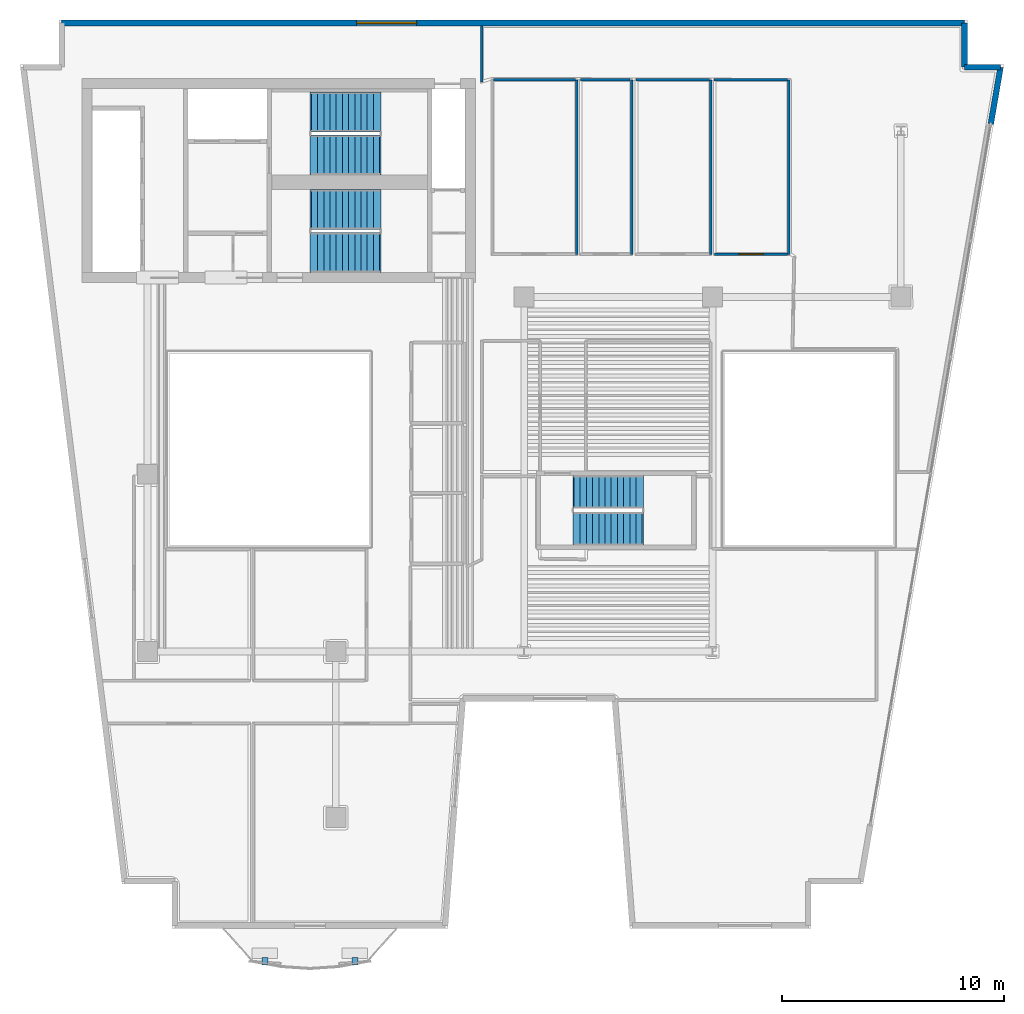
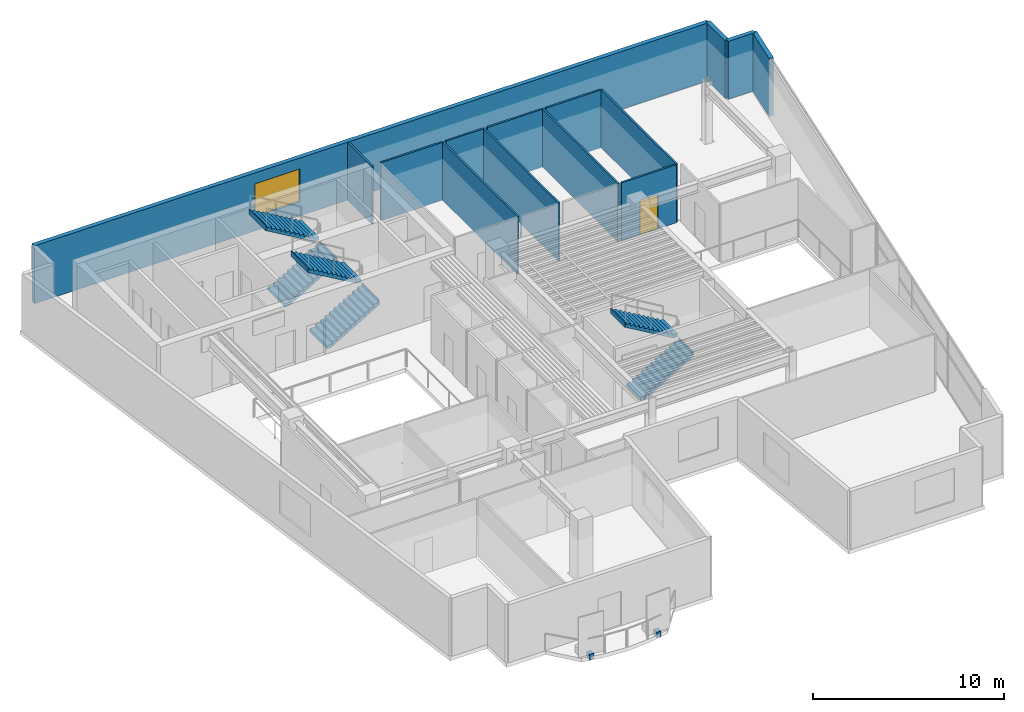
# One storey, part 6 of 9: 14 walls, 6 stair flights, 2 discrete accessories, 1 door, 1 window, 2 openings, 3 elements without a shape of their own.
"""IFC4 building model written with IfcOpenShell, lengths in metres."""

from ifc_helpers import new_model, si_unit, direction, frame, frame_2d, origin, origin_2d, place, context, subcontext, project, spatial, polyline, rectangle, outline, extrude, material, layer, layer_set, type_object, element, fill, aggregate, save


model = new_model("IFC4")

# Units and contexts
model_context = context("Model", 3, precision=1e-05, world=origin(), true_north=direction((0.0, 1.0)))
body_context = subcontext(model_context, "Body", "Model", "MODEL_VIEW")
ifc_project = project(units=[si_unit("LENGTHUNIT", "METRE"), si_unit("AREAUNIT", "SQUARE_METRE"), si_unit("VOLUMEUNIT", "CUBIC_METRE"), si_unit("PLANEANGLEUNIT", "RADIAN"), si_unit("MASSUNIT", "GRAM", prefix="KILO")], contexts=[model_context])

# Site, building, storey
site_placement = place(None, origin())
site = spatial("IfcSite", under=ifc_project, at=site_placement, CompositionType="ELEMENT")
building_placement = place(site_placement, origin())
building = spatial("IfcBuilding", under=site, at=building_placement, Name="Caeloran Harvest Quay", CompositionType="ELEMENT")
storey_placement = place(building_placement, frame((0.0, 0.0, 195.60009765625)))
storey = spatial("IfcBuildingStorey", under=building, at=storey_placement, Name="L46", CompositionType="ELEMENT", Elevation=195.60009765625)

# Wall, opening, window
ifc_material_1 = material(Name="Precast concrete C50/60", Category="concrete")
ifc_layer_1 = layer(ifc_material_1, 0.260009765625, Name="Precast concrete C50/60")
ifc_layer_set_1 = layer_set([ifc_layer_1], Name="Precast concrete C50/60")
wall_type_1 = type_object("IfcWallType", Name="ENV-WALL-EW-260", PredefinedType="STANDARD", material=ifc_layer_set_1)
wall_1_placement = place(storey_placement, frame((4.6298828125, 43.3701171875, 0.0), z_axis=(0.0, 0.0, 1.0), x_axis=(1.0, 0.0, 0.0)))
wall_1 = element("IfcWall", 1, at=wall_1_placement, inside=storey, type_object=wall_type_1, Name="L46 Exterior Precast Concrete Facade Wall 6", PredefinedType="STANDARD", context=body_context, shape_type="SweptSolid", body=[
    extrude(rectangle(XDim=40.740234375, YDim=0.260009765625, at=frame_2d((20.3701171875, 0.0))), origin(), (0.0, 0.0, 1.0), 3.699951171875),
])
opening_1_placement = place(wall_1_placement, frame((13.31591796875, 0.0, 0.89990234375)))
opening_1 = element("IfcOpeningElement", 2, at=opening_1_placement, cuts=wall_1, Name="Opening W-07", PredefinedType="OPENING", context=body_context, shape_type="SweptSolid", body=[
    extrude(rectangle(XDim=2.699951171875, YDim=2.10009765625, at=frame_2d((1.35009765625, 1.050048828125))), frame((0.0, 0.14013671875, 0.0), z_axis=(0.0, -1.0, 0.0), x_axis=(1.0, 0.0, 0.0)), (0.0, 0.0, 1.0), 0.280029296875),
])
ifc_material_2 = material(Name="Aluminium-Framed Low-E Laminated Glass", Category="aluminium")
window_type = type_object("IfcWindowType", Name="WIN-W-07", PartitioningType="DOUBLE_PANEL_VERTICAL", PredefinedType="WINDOW", material=ifc_material_2)
window_placement = place(opening_1_placement, origin())
window = element("IfcWindow", 3, at=window_placement, inside=storey, type_object=window_type, Name="L46 Facade Punched Window W-07", OverallHeight=2.10009765625, OverallWidth=2.699951171875, PartitioningType="DOUBLE_PANEL_VERTICAL", PredefinedType="WINDOW", context=body_context, shape_type="SweptSolid", body=[
    extrude(rectangle(XDim=2.699951171875, YDim=2.10009765625, at=frame_2d((1.35009765625, 1.050048828125))), frame((0.0, 0.030029296875, 0.0), z_axis=(0.0, -1.0, 0.0), x_axis=(1.0, 0.0, 0.0)), (0.0, 0.0, 1.0), 0.06005859375),
])
fill(opening_1, window)

# Walls
wall_2_placement = place(storey_placement, frame((45.3701171875, 43.3701171875, 0.0), z_axis=(0.0, 0.0, 1.0), x_axis=(0.0, -1.0, 0.0)))
element("IfcWall", 4, at=wall_2_placement, inside=storey, type_object=wall_type_1, Name="L46 Exterior Precast Concrete Facade Wall 7", PredefinedType="STANDARD", context=body_context, shape_type="SweptSolid", body=[
    extrude(rectangle(XDim=2.0, YDim=0.260009765625, at=frame_2d((1.0, 0.0))), origin(), (0.0, 0.0, 1.0), 3.699951171875),
])
wall_3_placement = place(storey_placement, frame((45.3701171875, 41.3701171875, 0.0), z_axis=(0.0, 0.0, 1.0), x_axis=(1.0, 0.0, 0.0)))
element("IfcWall", 5, at=wall_3_placement, inside=storey, type_object=wall_type_1, Name="L46 Exterior Precast Concrete Facade Wall 8", PredefinedType="STANDARD", context=body_context, shape_type="SweptSolid", body=[
    extrude(rectangle(XDim=1.6318359375, YDim=0.260009765625, at=frame_2d((0.81591796875, 0.0))), origin(), (0.0, 0.0, 1.0), 3.699951171875),
])
wall_4_placement = place(storey_placement, frame((47.001953125, 41.3701171875, 0.0), z_axis=(0.0, 0.0, 1.0), x_axis=(-0.169391215599, -0.98554889076, 0.0)))
element("IfcWall", 6, at=wall_4_placement, inside=storey, type_object=wall_type_1, Name="L46 Exterior Facade Corner Pier Wall 9A", PredefinedType="STANDARD", context=body_context, shape_type="SweptSolid", body=[
    extrude(rectangle(XDim=2.60009765625, YDim=0.260009765625, at=frame_2d((1.300048828125, 0.0))), origin(), (0.0, 0.0, 1.0), 3.699951171875),
])
ifc_material_3 = material(Name="Single-Stud Acoustic Gypsum Office Partition", Category="gypsum")
ifc_layer_2 = layer(ifc_material_3, 0.112060546875, Name="Single-Stud Acoustic Gypsum Office Partition")
ifc_layer_set_2 = layer_set([ifc_layer_2], Name="Single-Stud Acoustic Gypsum Office Partition")
wall_type_2 = type_object("IfcWallType", Name="INT-WALL-PW-112", PredefinedType="PARTITIONING", material=ifc_layer_set_2)
wall_5_placement = place(storey_placement, frame((27.8798828125, 40.800048828125, 0.0), z_axis=(0.0, 0.0, 1.0), x_axis=(0.0, -1.0, 0.0)))
element("IfcWall", 7, at=wall_5_placement, inside=storey, type_object=wall_type_2, Name="L46 Crop Phenotyping West Laboratory Partition Wall", PredefinedType="PARTITIONING", context=body_context, shape_type="SweptSolid", body=[
    extrude(rectangle(XDim=7.880126953125, YDim=0.112060546875, at=frame_2d((3.93994140625, 0.0))), origin(), (0.0, 0.0, 1.0), 3.699951171875),
])
wall_6_placement = place(storey_placement, frame((24.111083984375, 40.800048828125, 0.0), z_axis=(0.0, 0.0, 1.0), x_axis=(1.0, 0.0, 0.0)))
element("IfcWall", 8, at=wall_6_placement, inside=storey, type_object=wall_type_2, Name="L46 Crop Phenotyping West Laboratory Partition Wall", PredefinedType="PARTITIONING", context=body_context, shape_type="SweptSolid", body=[
    extrude(rectangle(XDim=3.7080078125, YDim=0.112060546875, at=frame_2d((1.85400390625, 0.0))), origin(), (0.0, 0.0, 1.0), 3.699951171875),
])
wall_7_placement = place(storey_placement, frame((30.35009765625, 40.800048828125, 0.0), z_axis=(0.0, 0.0, 1.0), x_axis=(0.0, -1.0, 0.0)))
element("IfcWall", 9, at=wall_7_placement, inside=storey, type_object=wall_type_2, Name="L46 Genomics Sequencing East Studio Partition Wall", PredefinedType="PARTITIONING", context=body_context, shape_type="SweptSolid", body=[
    extrude(rectangle(XDim=7.880126953125, YDim=0.112060546875, at=frame_2d((3.93994140625, 0.0))), origin(), (0.0, 0.0, 1.0), 3.699951171875),
])
wall_8_placement = place(storey_placement, frame((28.0400390625, 40.800048828125, 0.0), z_axis=(0.0, 0.0, 1.0), x_axis=(1.0, 0.0, 0.0)))
element("IfcWall", 10, at=wall_8_placement, inside=storey, type_object=wall_type_2, Name="L46 Genomics Sequencing East Studio Partition Wall", PredefinedType="PARTITIONING", context=body_context, shape_type="SweptSolid", body=[
    extrude(rectangle(XDim=2.2490234375, YDim=0.112060546875, at=frame_2d((1.12451171875, 0.0))), origin(), (0.0, 0.0, 1.0), 3.699951171875),
])
wall_9_placement = place(storey_placement, frame((33.919921875, 40.800048828125, 0.0), z_axis=(0.0, 0.0, 1.0), x_axis=(0.0, -1.0, 0.0)))
element("IfcWall", 11, at=wall_9_placement, inside=storey, type_object=wall_type_2, Name="L46 Agri-Genomics West Boardroom Partition Wall", PredefinedType="PARTITIONING", context=body_context, shape_type="SweptSolid", body=[
    extrude(rectangle(XDim=7.880126953125, YDim=0.112060546875, at=frame_2d((3.93994140625, 0.0))), origin(), (0.0, 0.0, 1.0), 3.699951171875),
])
wall_10_placement = place(storey_placement, frame((30.550048828125, 40.800048828125, 0.0), z_axis=(0.0, 0.0, 1.0), x_axis=(1.0, 0.0, 0.0)))
element("IfcWall", 12, at=wall_10_placement, inside=storey, type_object=wall_type_2, Name="L46 Agri-Genomics West Boardroom Partition Wall", PredefinedType="PARTITIONING", context=body_context, shape_type="SweptSolid", body=[
    extrude(rectangle(XDim=3.308837890625, YDim=0.112060546875, at=frame_2d((1.654296875, 0.0))), origin(), (0.0, 0.0, 1.0), 3.699951171875),
])
wall_11_placement = place(storey_placement, frame((37.449951171875, 40.800048828125, 0.0), z_axis=(0.0, 0.0, 1.0), x_axis=(0.0, -1.0, 0.0)))
element("IfcWall", 13, at=wall_11_placement, inside=storey, type_object=wall_type_2, Name="L46 Executive Strategy East Office Partition Wall", PredefinedType="PARTITIONING", context=body_context, shape_type="SweptSolid", body=[
    extrude(rectangle(XDim=7.880126953125, YDim=0.112060546875, at=frame_2d((3.93994140625, 0.0))), origin(), (0.0, 0.0, 1.0), 3.699951171875),
])

# Wall, opening, door
wall_12_placement = place(storey_placement, frame((37.388916015625, 32.919921875, 0.0), z_axis=(0.0, 0.0, 1.0), x_axis=(-1.0, 0.0, 0.0)))
wall_12 = element("IfcWall", 14, at=wall_12_placement, inside=storey, type_object=wall_type_2, Name="L46 Executive Strategy East Office Partition Wall", PredefinedType="PARTITIONING", context=body_context, shape_type="SweptSolid", body=[
    extrude(rectangle(XDim=3.308837890625, YDim=0.112060546875, at=frame_2d((1.654296875, 0.0))), origin(), (0.0, 0.0, 1.0), 3.699951171875),
])
opening_2_placement = place(wall_12_placement, frame((1.1044921875, 0.0, 0.0)))
opening_2 = element("IfcOpeningElement", 15, at=opening_2_placement, cuts=wall_12, Name="Opening ID-04", PredefinedType="OPENING", context=body_context, shape_type="SweptSolid", body=[
    extrude(rectangle(XDim=1.10009765625, YDim=2.199951171875, at=frame_2d((0.550048828125, 1.10009765625))), frame((0.0, 0.06591796875, 0.0), z_axis=(0.0, -1.0, 0.0), x_axis=(1.0, 0.0, 0.0)), (0.0, 0.0, 1.0), 0.132080078125),
])
ifc_material_4 = material(Name="Acoustic Walnut Veneer Executive Door", Category="wood")
door_type = type_object("IfcDoorType", Name="INTDOOR-ID-04", OperationType="NOTDEFINED", PredefinedType="DOOR", material=ifc_material_4)
door_placement = place(opening_2_placement, origin())
door = element("IfcDoor", 16, at=door_placement, inside=storey, type_object=door_type, Name="L46 Executive Strategy East Office Access Door", OperationType="SINGLE_SWING_RIGHT", OverallHeight=2.199951171875, OverallWidth=1.10009765625, PredefinedType="DOOR", context=body_context, shape_type="SweptSolid", body=[
    extrude(rectangle(XDim=1.10009765625, YDim=2.199951171875, at=frame_2d((0.550048828125, 1.10009765625))), frame((0.0, 0.02490234375, 0.0), z_axis=(0.0, -1.0, 0.0), x_axis=(1.0, 0.0, 0.0)), (0.0, 0.0, 1.0), 0.050048828125),
])
fill(opening_2, door)

# Walls
wall_13_placement = place(storey_placement, frame((34.080078125, 40.800048828125, 0.0), z_axis=(0.0, 0.0, 1.0), x_axis=(1.0, 0.0, 0.0)))
element("IfcWall", 17, at=wall_13_placement, inside=storey, type_object=wall_type_2, Name="L46 Executive Strategy East Office Partition Wall", PredefinedType="PARTITIONING", context=body_context, shape_type="SweptSolid", body=[
    extrude(rectangle(XDim=3.308837890625, YDim=0.112060546875, at=frame_2d((1.654296875, 0.0))), origin(), (0.0, 0.0, 1.0), 3.699951171875),
])
wall_14_placement = place(storey_placement, frame((23.580078125, 40.693115234375, 0.0), z_axis=(0.0, 0.0, 1.0), x_axis=(0.0, 1.0, 0.0)))
element("IfcWall", 18, at=wall_14_placement, inside=storey, type_object=wall_type_2, Name="IT Comms Laboratory Partition Wall", PredefinedType="PARTITIONING", context=body_context, shape_type="SweptSolid", body=[
    extrude(rectangle(XDim=2.5419921875, YDim=0.112060546875, at=frame_2d((1.27099609375, 0.0))), origin(), (0.0, 0.0, 1.0), 3.699951171875),
])

# Stair, stair flights
ifc_material_5 = material(Name="Concrete C50/60", Category="concrete")
stair_type_1 = type_object("IfcStairType", Name="STAIR-STC-180", PredefinedType="HALF_TURN_STAIR", material=ifc_material_5)
stair_1_placement = place(storey_placement, origin())
stair_1 = element("IfcStair", 19, at=stair_1_placement, inside=storey, type_object=stair_type_1, Name="L46 Core Pressurized Exit Stair ST-C1", PredefinedType="HALF_TURN_STAIR")
stair_flight_type_1 = type_object("IfcStairFlightType", Name="FLIGHT-STC-180", PredefinedType="STRAIGHT", material=ifc_material_5)
stair_flight_1_placement = place(storey_placement, frame((15.89990234375, 37.39990234375, 0.0), z_axis=(0.0, 0.0, 1.0), x_axis=(1.0, 0.0, 0.0)))
stair_flight_1 = element("IfcStairFlight", 20, at=stair_flight_1_placement, type_object=stair_flight_type_1, Name="ST-C1 flight 1", NumberOfRisers=12, NumberOfTreads=11, PredefinedType="STRAIGHT", RiserHeight=0.164583333, TreadLength=0.28, context=body_context, shape_type="SweptSolid", body=[
    extrude(outline(polyline([(-0.054931640625, -0.044921875), (-0.054931640625, -0.031982421875), (-0.054931640625, -0.018798828125), (-0.054931640625, -0.005615234375), (-0.054931640625, 0.00732421875), (-0.054931640625, 0.0205078125), (-0.054931640625, 0.03369140625), (-0.054931640625, 0.046630859375), (-0.054931640625, 0.059814453125), (-0.054931640625, 0.072998046875), (-0.054931640625, 0.0859375), (-0.054931640625, 0.09912109375), (-0.054931640625, 0.1123046875), (-0.054931640625, 0.125244140625), (-0.054931640625, 0.138427734375), (-0.054931640625, 0.1513671875), (-0.054931640625, 0.16455078125), (0.280029296875, 0.16455078125), (0.280029296875, 0.3291015625), (0.56005859375, 0.3291015625), (0.56005859375, 0.49365234375), (0.840087890625, 0.49365234375), (0.840087890625, 0.658447265625), (1.1201171875, 0.658447265625), (1.1201171875, 0.822998046875), (1.39990234375, 0.822998046875), (1.39990234375, 0.987548828125), (1.679931640625, 0.987548828125), (1.679931640625, 1.152099609375), (1.9599609375, 1.152099609375), (1.9599609375, 1.316650390625), (2.239990234375, 1.316650390625), (2.239990234375, 1.481201171875), (2.52001953125, 1.481201171875), (2.52001953125, 1.645751953125), (2.800048828125, 1.645751953125), (2.800048828125, 1.810302734375), (3.080078125, 1.810302734375), (3.080078125, 1.97509765625), (3.135009765625, 1.97509765625), (3.135009765625, 1.953857421875), (3.135009765625, 1.9326171875), (3.135009765625, 1.91162109375), (3.135009765625, 1.890380859375), (3.135009765625, 1.869140625), (3.135009765625, 1.84814453125), (3.135009765625, 1.826904296875), (3.135009765625, 1.8056640625), (3.135009765625, 1.78466796875), (3.135009765625, 1.763427734375), (3.135009765625, 1.7421875), (3.135009765625, 1.72119140625), (3.135009765625, 1.699951171875), (3.135009765625, 1.678955078125), (3.135009765625, 1.65771484375), (3.135009765625, 1.636474609375), (3.080078125, 1.636474609375), (0.21923828125, -0.044921875), (-0.054931640625, -0.044921875)])), frame((0.0, 0.89990234375, 0.0), z_axis=(0.0, -1.0, 0.0), x_axis=(1.0, 0.0, 0.0)), (0.0, 0.0, 1.0), 1.800048828125),
])
stair_flight_2_placement = place(storey_placement, frame((18.97998046875, 39.35009765625, 1.974853515625), z_axis=(0.0, 0.0, 1.0), x_axis=(-1.0, 0.0, 0.0)))
stair_flight_2 = element("IfcStairFlight", 21, at=stair_flight_2_placement, type_object=stair_flight_type_1, Name="ST-C1 flight 2", NumberOfRisers=12, NumberOfTreads=11, PredefinedType="STRAIGHT", RiserHeight=0.164583333, TreadLength=0.28, context=body_context, shape_type="SweptSolid", body=[
    extrude(outline(polyline([(-0.054931640625, -0.044921875), (-0.054931640625, -0.031982421875), (-0.054931640625, -0.018798828125), (-0.054931640625, -0.005615234375), (-0.054931640625, 0.00732421875), (-0.054931640625, 0.0205078125), (-0.054931640625, 0.03369140625), (-0.054931640625, 0.046630859375), (-0.054931640625, 0.059814453125), (-0.054931640625, 0.072998046875), (-0.054931640625, 0.0859375), (-0.054931640625, 0.09912109375), (-0.054931640625, 0.1123046875), (-0.054931640625, 0.125244140625), (-0.054931640625, 0.138427734375), (-0.054931640625, 0.1513671875), (-0.054931640625, 0.16455078125), (0.280029296875, 0.16455078125), (0.280029296875, 0.3291015625), (0.56005859375, 0.3291015625), (0.56005859375, 0.49365234375), (0.840087890625, 0.49365234375), (0.840087890625, 0.658447265625), (1.1201171875, 0.658447265625), (1.1201171875, 0.822998046875), (1.39990234375, 0.822998046875), (1.39990234375, 0.987548828125), (1.679931640625, 0.987548828125), (1.679931640625, 1.152099609375), (1.9599609375, 1.152099609375), (1.9599609375, 1.316650390625), (2.239990234375, 1.316650390625), (2.239990234375, 1.481201171875), (2.52001953125, 1.481201171875), (2.52001953125, 1.645751953125), (2.800048828125, 1.645751953125), (2.800048828125, 1.810302734375), (3.080078125, 1.810302734375), (3.080078125, 1.97509765625), (3.135009765625, 1.97509765625), (3.135009765625, 1.953857421875), (3.135009765625, 1.9326171875), (3.135009765625, 1.91162109375), (3.135009765625, 1.890380859375), (3.135009765625, 1.869140625), (3.135009765625, 1.84814453125), (3.135009765625, 1.826904296875), (3.135009765625, 1.8056640625), (3.135009765625, 1.78466796875), (3.135009765625, 1.763427734375), (3.135009765625, 1.7421875), (3.135009765625, 1.72119140625), (3.135009765625, 1.699951171875), (3.135009765625, 1.678955078125), (3.135009765625, 1.65771484375), (3.135009765625, 1.636474609375), (3.080078125, 1.636474609375), (0.21923828125, -0.044921875), (-0.054931640625, -0.044921875)])), frame((0.0, 0.89990234375, 0.0), z_axis=(0.0, -1.0, 0.0), x_axis=(1.0, 0.0, 0.0)), (0.0, 0.0, 1.0), 1.800048828125),
])
aggregate(stair_1, [stair_flight_1, stair_flight_2])

stair_2_placement = place(storey_placement, origin())
stair_2 = element("IfcStair", 22, at=stair_2_placement, inside=storey, type_object=stair_type_1, Name="L46 Core Pressurized Exit Stair ST-C2", PredefinedType="HALF_TURN_STAIR")
stair_flight_3_placement = place(storey_placement, frame((15.89990234375, 33.0, 0.0), z_axis=(0.0, 0.0, 1.0), x_axis=(1.0, 0.0, 0.0)))
stair_flight_3 = element("IfcStairFlight", 23, at=stair_flight_3_placement, type_object=stair_flight_type_1, Name="ST-C2 flight 1", NumberOfRisers=12, NumberOfTreads=11, PredefinedType="STRAIGHT", RiserHeight=0.164583333, TreadLength=0.28, context=body_context, shape_type="SweptSolid", body=[
    extrude(outline(polyline([(-0.054931640625, -0.044921875), (-0.054931640625, -0.031982421875), (-0.054931640625, -0.018798828125), (-0.054931640625, -0.005615234375), (-0.054931640625, 0.00732421875), (-0.054931640625, 0.0205078125), (-0.054931640625, 0.03369140625), (-0.054931640625, 0.046630859375), (-0.054931640625, 0.059814453125), (-0.054931640625, 0.072998046875), (-0.054931640625, 0.0859375), (-0.054931640625, 0.09912109375), (-0.054931640625, 0.1123046875), (-0.054931640625, 0.125244140625), (-0.054931640625, 0.138427734375), (-0.054931640625, 0.1513671875), (-0.054931640625, 0.16455078125), (0.280029296875, 0.16455078125), (0.280029296875, 0.3291015625), (0.56005859375, 0.3291015625), (0.56005859375, 0.49365234375), (0.840087890625, 0.49365234375), (0.840087890625, 0.658447265625), (1.1201171875, 0.658447265625), (1.1201171875, 0.822998046875), (1.39990234375, 0.822998046875), (1.39990234375, 0.987548828125), (1.679931640625, 0.987548828125), (1.679931640625, 1.152099609375), (1.9599609375, 1.152099609375), (1.9599609375, 1.316650390625), (2.239990234375, 1.316650390625), (2.239990234375, 1.481201171875), (2.52001953125, 1.481201171875), (2.52001953125, 1.645751953125), (2.800048828125, 1.645751953125), (2.800048828125, 1.810302734375), (3.080078125, 1.810302734375), (3.080078125, 1.97509765625), (3.135009765625, 1.97509765625), (3.135009765625, 1.953857421875), (3.135009765625, 1.9326171875), (3.135009765625, 1.91162109375), (3.135009765625, 1.890380859375), (3.135009765625, 1.869140625), (3.135009765625, 1.84814453125), (3.135009765625, 1.826904296875), (3.135009765625, 1.8056640625), (3.135009765625, 1.78466796875), (3.135009765625, 1.763427734375), (3.135009765625, 1.7421875), (3.135009765625, 1.72119140625), (3.135009765625, 1.699951171875), (3.135009765625, 1.678955078125), (3.135009765625, 1.65771484375), (3.135009765625, 1.636474609375), (3.080078125, 1.636474609375), (0.21923828125, -0.044921875), (-0.054931640625, -0.044921875)])), frame((0.0, 0.89990234375, 0.0), z_axis=(0.0, -1.0, 0.0), x_axis=(1.0, 0.0, 0.0)), (0.0, 0.0, 1.0), 1.800048828125),
])
stair_flight_4_placement = place(storey_placement, frame((18.97998046875, 34.949951171875, 1.974853515625), z_axis=(0.0, 0.0, 1.0), x_axis=(-1.0, 0.0, 0.0)))
stair_flight_4 = element("IfcStairFlight", 24, at=stair_flight_4_placement, type_object=stair_flight_type_1, Name="ST-C2 flight 2", NumberOfRisers=12, NumberOfTreads=11, PredefinedType="STRAIGHT", RiserHeight=0.164583333, TreadLength=0.28, context=body_context, shape_type="SweptSolid", body=[
    extrude(outline(polyline([(-0.054931640625, -0.044921875), (-0.054931640625, -0.031982421875), (-0.054931640625, -0.018798828125), (-0.054931640625, -0.005615234375), (-0.054931640625, 0.00732421875), (-0.054931640625, 0.0205078125), (-0.054931640625, 0.03369140625), (-0.054931640625, 0.046630859375), (-0.054931640625, 0.059814453125), (-0.054931640625, 0.072998046875), (-0.054931640625, 0.0859375), (-0.054931640625, 0.09912109375), (-0.054931640625, 0.1123046875), (-0.054931640625, 0.125244140625), (-0.054931640625, 0.138427734375), (-0.054931640625, 0.1513671875), (-0.054931640625, 0.16455078125), (0.280029296875, 0.16455078125), (0.280029296875, 0.3291015625), (0.56005859375, 0.3291015625), (0.56005859375, 0.49365234375), (0.840087890625, 0.49365234375), (0.840087890625, 0.658447265625), (1.1201171875, 0.658447265625), (1.1201171875, 0.822998046875), (1.39990234375, 0.822998046875), (1.39990234375, 0.987548828125), (1.679931640625, 0.987548828125), (1.679931640625, 1.152099609375), (1.9599609375, 1.152099609375), (1.9599609375, 1.316650390625), (2.239990234375, 1.316650390625), (2.239990234375, 1.481201171875), (2.52001953125, 1.481201171875), (2.52001953125, 1.645751953125), (2.800048828125, 1.645751953125), (2.800048828125, 1.810302734375), (3.080078125, 1.810302734375), (3.080078125, 1.97509765625), (3.135009765625, 1.97509765625), (3.135009765625, 1.953857421875), (3.135009765625, 1.9326171875), (3.135009765625, 1.91162109375), (3.135009765625, 1.890380859375), (3.135009765625, 1.869140625), (3.135009765625, 1.84814453125), (3.135009765625, 1.826904296875), (3.135009765625, 1.8056640625), (3.135009765625, 1.78466796875), (3.135009765625, 1.763427734375), (3.135009765625, 1.7421875), (3.135009765625, 1.72119140625), (3.135009765625, 1.699951171875), (3.135009765625, 1.678955078125), (3.135009765625, 1.65771484375), (3.135009765625, 1.636474609375), (3.080078125, 1.636474609375), (0.21923828125, -0.044921875), (-0.054931640625, -0.044921875)])), frame((0.0, 0.89990234375, 0.0), z_axis=(0.0, -1.0, 0.0), x_axis=(1.0, 0.0, 0.0)), (0.0, 0.0, 1.0), 1.800048828125),
])
aggregate(stair_2, [stair_flight_3, stair_flight_4])

stair_type_2 = type_object("IfcStairType", Name="STAIR-STW-150", PredefinedType="HALF_TURN_STAIR", material=ifc_material_5)
stair_3_placement = place(storey_placement, origin())
stair_3 = element("IfcStair", 25, at=stair_3_placement, inside=storey, type_object=stair_type_2, Name="L46 East Wing Protected Exit Stair ST-W1", PredefinedType="HALF_TURN_STAIR")
stair_flight_type_2 = type_object("IfcStairFlightType", Name="FLIGHT-STW-150", PredefinedType="STRAIGHT", material=ifc_material_5)
stair_flight_5_placement = place(storey_placement, frame((27.75, 20.550048828125, 0.0), z_axis=(0.0, 0.0, 1.0), x_axis=(1.0, 0.0, 0.0)))
stair_flight_5 = element("IfcStairFlight", 26, at=stair_flight_5_placement, type_object=stair_flight_type_2, Name="ST-W1 flight 1", NumberOfRisers=12, NumberOfTreads=11, PredefinedType="STRAIGHT", RiserHeight=0.164583333, TreadLength=0.28, context=body_context, shape_type="SweptSolid", body=[
    extrude(outline(polyline([(-0.054931640625, -0.044921875), (-0.054931640625, -0.031982421875), (-0.054931640625, -0.018798828125), (-0.054931640625, -0.005615234375), (-0.054931640625, 0.00732421875), (-0.054931640625, 0.0205078125), (-0.054931640625, 0.03369140625), (-0.054931640625, 0.046630859375), (-0.054931640625, 0.059814453125), (-0.054931640625, 0.072998046875), (-0.054931640625, 0.0859375), (-0.054931640625, 0.09912109375), (-0.054931640625, 0.1123046875), (-0.054931640625, 0.125244140625), (-0.054931640625, 0.138427734375), (-0.054931640625, 0.1513671875), (-0.054931640625, 0.16455078125), (0.280029296875, 0.16455078125), (0.280029296875, 0.3291015625), (0.56005859375, 0.3291015625), (0.56005859375, 0.49365234375), (0.840087890625, 0.49365234375), (0.840087890625, 0.658447265625), (1.1201171875, 0.658447265625), (1.1201171875, 0.822998046875), (1.39990234375, 0.822998046875), (1.39990234375, 0.987548828125), (1.679931640625, 0.987548828125), (1.679931640625, 1.152099609375), (1.9599609375, 1.152099609375), (1.9599609375, 1.316650390625), (2.239990234375, 1.316650390625), (2.239990234375, 1.481201171875), (2.52001953125, 1.481201171875), (2.52001953125, 1.645751953125), (2.800048828125, 1.645751953125), (2.800048828125, 1.810302734375), (3.080078125, 1.810302734375), (3.080078125, 1.97509765625), (3.135009765625, 1.97509765625), (3.135009765625, 1.953857421875), (3.135009765625, 1.9326171875), (3.135009765625, 1.91162109375), (3.135009765625, 1.890380859375), (3.135009765625, 1.869140625), (3.135009765625, 1.84814453125), (3.135009765625, 1.826904296875), (3.135009765625, 1.8056640625), (3.135009765625, 1.78466796875), (3.135009765625, 1.763427734375), (3.135009765625, 1.7421875), (3.135009765625, 1.72119140625), (3.135009765625, 1.699951171875), (3.135009765625, 1.678955078125), (3.135009765625, 1.65771484375), (3.135009765625, 1.636474609375), (3.080078125, 1.636474609375), (0.21923828125, -0.044921875), (-0.054931640625, -0.044921875)])), frame((0.0, 0.75, 0.0), z_axis=(0.0, -1.0, 0.0), x_axis=(1.0, 0.0, 0.0)), (0.0, 0.0, 1.0), 1.5),
])
stair_flight_6_placement = place(storey_placement, frame((30.830078125, 22.199951171875, 1.974853515625), z_axis=(0.0, 0.0, 1.0), x_axis=(-1.0, 0.0, 0.0)))
stair_flight_6 = element("IfcStairFlight", 27, at=stair_flight_6_placement, type_object=stair_flight_type_2, Name="ST-W1 flight 2", NumberOfRisers=12, NumberOfTreads=11, PredefinedType="STRAIGHT", RiserHeight=0.164583333, TreadLength=0.28, context=body_context, shape_type="SweptSolid", body=[
    extrude(outline(polyline([(-0.054931640625, -0.044921875), (-0.054931640625, -0.031982421875), (-0.054931640625, -0.018798828125), (-0.054931640625, -0.005615234375), (-0.054931640625, 0.00732421875), (-0.054931640625, 0.0205078125), (-0.054931640625, 0.03369140625), (-0.054931640625, 0.046630859375), (-0.054931640625, 0.059814453125), (-0.054931640625, 0.072998046875), (-0.054931640625, 0.0859375), (-0.054931640625, 0.09912109375), (-0.054931640625, 0.1123046875), (-0.054931640625, 0.125244140625), (-0.054931640625, 0.138427734375), (-0.054931640625, 0.1513671875), (-0.054931640625, 0.16455078125), (0.280029296875, 0.16455078125), (0.280029296875, 0.3291015625), (0.56005859375, 0.3291015625), (0.56005859375, 0.49365234375), (0.840087890625, 0.49365234375), (0.840087890625, 0.658447265625), (1.1201171875, 0.658447265625), (1.1201171875, 0.822998046875), (1.39990234375, 0.822998046875), (1.39990234375, 0.987548828125), (1.679931640625, 0.987548828125), (1.679931640625, 1.152099609375), (1.9599609375, 1.152099609375), (1.9599609375, 1.316650390625), (2.239990234375, 1.316650390625), (2.239990234375, 1.481201171875), (2.52001953125, 1.481201171875), (2.52001953125, 1.645751953125), (2.800048828125, 1.645751953125), (2.800048828125, 1.810302734375), (3.080078125, 1.810302734375), (3.080078125, 1.97509765625), (3.135009765625, 1.97509765625), (3.135009765625, 1.953857421875), (3.135009765625, 1.9326171875), (3.135009765625, 1.91162109375), (3.135009765625, 1.890380859375), (3.135009765625, 1.869140625), (3.135009765625, 1.84814453125), (3.135009765625, 1.826904296875), (3.135009765625, 1.8056640625), (3.135009765625, 1.78466796875), (3.135009765625, 1.763427734375), (3.135009765625, 1.7421875), (3.135009765625, 1.72119140625), (3.135009765625, 1.699951171875), (3.135009765625, 1.678955078125), (3.135009765625, 1.65771484375), (3.135009765625, 1.636474609375), (3.080078125, 1.636474609375), (0.21923828125, -0.044921875), (-0.054931640625, -0.044921875)])), frame((0.0, 0.75, 0.0), z_axis=(0.0, -1.0, 0.0), x_axis=(1.0, 0.0, 0.0)), (0.0, 0.0, 1.0), 1.5),
])
aggregate(stair_3, [stair_flight_5, stair_flight_6])

# Discrete accessories
ifc_material_6 = material(Name="Stainless Steel Grade 316L", Category="steel")
discrete_accessory_type = type_object("IfcDiscreteAccessoryType", Name="BRACKET-SCREEN-SS", PredefinedType="BRACKET", material=ifc_material_6)
for number, where, z_axis, x_axis, name in (
    (28, (17.865478515625, 1.030029296875, -0.22021484375), (0.0, 0.0, 1.0), (1.0, 0.0, 0.0), "L46 Balcony Screen Support Bracket 1"),
    (29, (13.80419921875, 1.030029296875, -0.22021484375), (0.0, 0.0, 1.0), (1.0, 0.0, 0.0), "L46 Balcony Screen Support Bracket 2"),
):
    element("IfcDiscreteAccessory", number, at=place(storey_placement, frame(where, z_axis=z_axis, x_axis=x_axis)), inside=storey, type_object=discrete_accessory_type, Name=name, PredefinedType="BRACKET", context=body_context, shape_type="SweptSolid", body=[
        extrude(rectangle(XDim=0.260009765625, YDim=0.340087890625, at=origin_2d()), origin(), (0.0, 0.0, 1.0), 0.360107421875),
    ])

save(model, "model.ifc")
